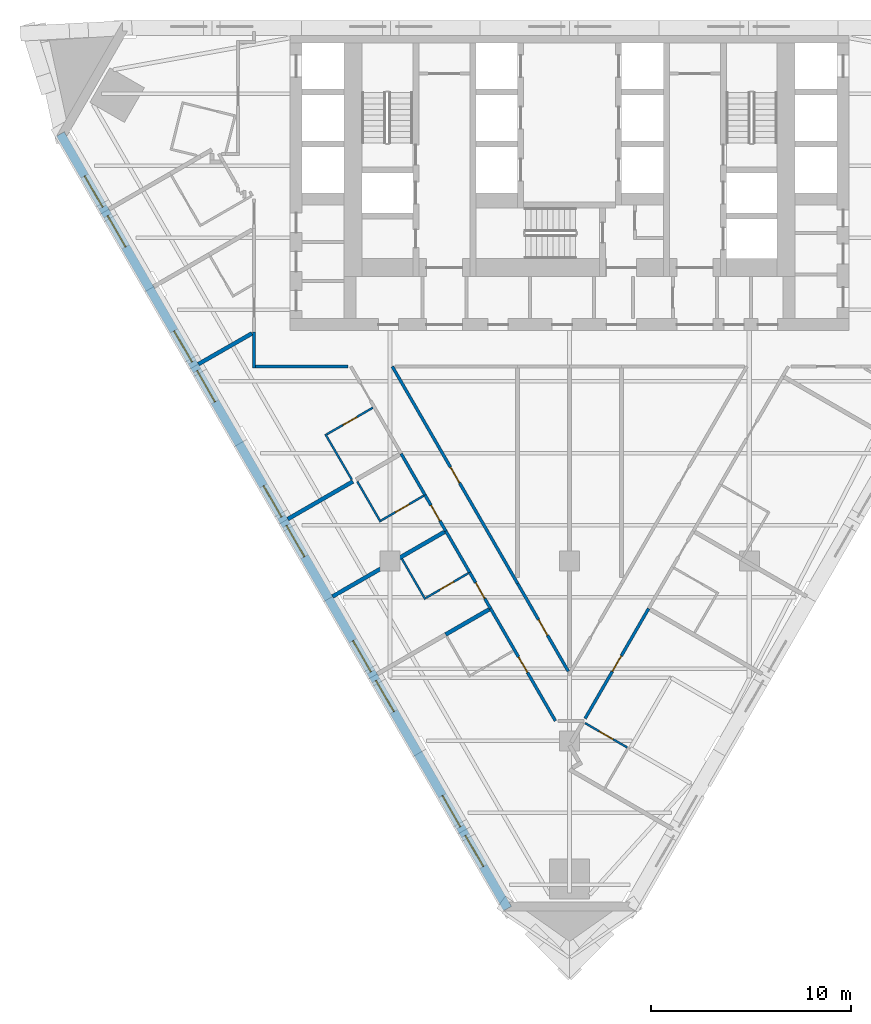
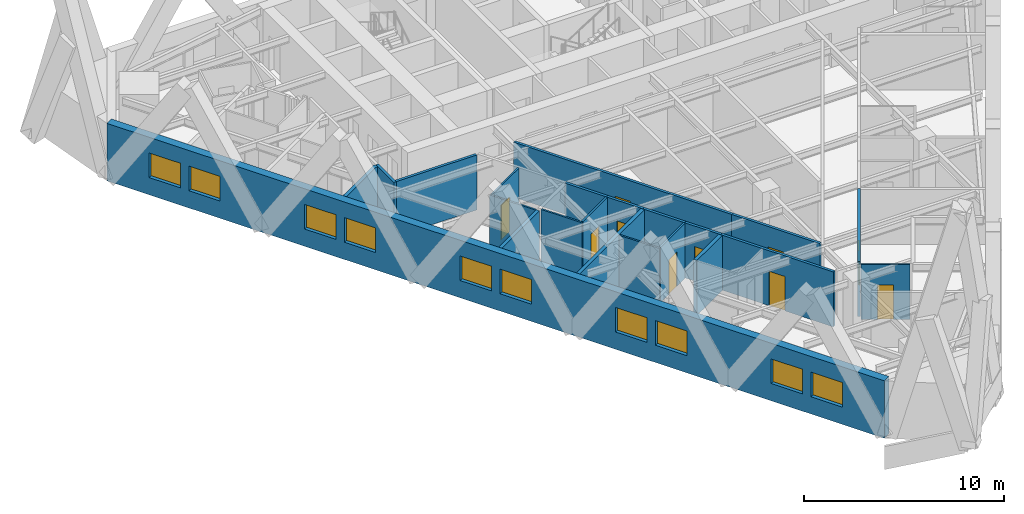
# One storey, part 3 of 11: 22 walls, 10 doors, 10 windows, 20 openings.
"""IFC4 building model written with IfcOpenShell, lengths in metres."""

from ifc_helpers import new_model, si_unit, direction, frame, frame_2d, origin, place, context, subcontext, project, spatial, polyline, rectangle, outline, extrude, material, layer, layer_set, type_object, element, fill, save


model = new_model("IFC4")

# Units and contexts
model_context = context("Model", 3, precision=1e-05, world=origin(), true_north=direction((0.0, 1.0)))
body_context = subcontext(model_context, "Body", "Model", "MODEL_VIEW")
ifc_project = project(units=[si_unit("LENGTHUNIT", "METRE"), si_unit("AREAUNIT", "SQUARE_METRE"), si_unit("VOLUMEUNIT", "CUBIC_METRE"), si_unit("PLANEANGLEUNIT", "RADIAN"), si_unit("MASSUNIT", "GRAM", prefix="KILO")], contexts=[model_context])

# Site, building, storey
site_placement = place(None, origin())
site = spatial("IfcSite", under=ifc_project, at=site_placement, CompositionType="ELEMENT")
building_placement = place(site_placement, origin())
building = spatial("IfcBuilding", under=site, at=building_placement, Name="Aloe Facet Convention Tower", CompositionType="ELEMENT")
storey_placement = place(building_placement, frame((0.0, 0.0, 63.0)))
storey = spatial("IfcBuildingStorey", under=building, at=storey_placement, Name="L14", CompositionType="ELEMENT", Elevation=63.0)

# Wall, openings, windows
ifc_material_1 = material(Name="Precast concrete C40/50", Category="concrete")
ifc_layer_1 = layer(ifc_material_1, 0.449951171875)
ifc_layer_set_1 = layer_set([ifc_layer_1], Name="EV-WALL-STONE")
wall_type_1 = type_object("IfcWallType", Name="EV-WALL-STONE", PredefinedType="SOLIDWALL", material=ifc_layer_set_1)
wall_1_placement = place(storey_placement, frame((54.494873046875, 129.396728515625, -0.14990234375), z_axis=(0.0, 0.0, 1.0), x_axis=(0.499999201451, -0.866025864826, 0.0)))
wall_1 = element("IfcWall", 1, at=wall_1_placement, inside=storey, type_object=wall_type_1, Name="EW-L14-W01", PredefinedType="SOLIDWALL", context=body_context, shape_type="SweptSolid", body=[
    extrude(outline(polyline([(44.800048828125, 0.0), (44.800048828125, 3.5), (0.0, 3.5), (0.0, 0.0), (44.800048828125, 0.0)])), frame((0.0, 0.22509765625, 0.0), z_axis=(0.0, -1.0, 0.0), x_axis=(1.0, 0.0, 0.0)), (0.0, 0.0, 1.0), 0.449951171875),
])
opening_1_placement = place(wall_1_placement, frame((2.429931640625, 0.0, 1.050048828125)))
opening_1 = element("IfcOpeningElement", 2, at=opening_1_placement, cuts=wall_1, Name="Opening W-L14-W01", PredefinedType="OPENING", context=body_context, shape_type="SweptSolid", body=[
    extrude(rectangle(XDim=1.800048828125, YDim=1.5, at=frame_2d((0.89990234375, 0.75))), frame((0.0, 0.23486328125, 0.0), z_axis=(0.0, -1.0, 0.0), x_axis=(1.0, 0.0, 0.0)), (0.0, 0.0, 1.0), 0.469970703125),
])
opening_2_placement = place(wall_1_placement, frame((4.72998046875, 0.0, 1.050048828125)))
opening_2 = element("IfcOpeningElement", 3, at=opening_2_placement, cuts=wall_1, Name="Opening W-L14-W02", PredefinedType="OPENING", context=body_context, shape_type="SweptSolid", body=[
    extrude(rectangle(XDim=1.800048828125, YDim=1.5, at=frame_2d((0.89990234375, 0.75))), frame((0.0, 0.23486328125, 0.0), z_axis=(0.0, -1.0, 0.0), x_axis=(1.0, 0.0, 0.0)), (0.0, 0.0, 1.0), 0.469970703125),
])
opening_3_placement = place(wall_1_placement, frame((11.389892578125, 0.0, 1.050048828125)))
opening_3 = element("IfcOpeningElement", 4, at=opening_3_placement, cuts=wall_1, Name="Opening W-L14-W03", PredefinedType="OPENING", context=body_context, shape_type="SweptSolid", body=[
    extrude(rectangle(XDim=1.800048828125, YDim=1.5, at=frame_2d((0.89990234375, 0.75))), frame((0.0, 0.23486328125, 0.0), z_axis=(0.0, -1.0, 0.0), x_axis=(1.0, 0.0, 0.0)), (0.0, 0.0, 1.0), 0.469970703125),
])
opening_4_placement = place(wall_1_placement, frame((13.68994140625, 0.0, 1.050048828125)))
opening_4 = element("IfcOpeningElement", 5, at=opening_4_placement, cuts=wall_1, Name="Opening W-L14-W04", PredefinedType="OPENING", context=body_context, shape_type="SweptSolid", body=[
    extrude(rectangle(XDim=1.800048828125, YDim=1.5, at=frame_2d((0.89990234375, 0.75))), frame((0.0, 0.23486328125, 0.0), z_axis=(0.0, -1.0, 0.0), x_axis=(1.0, 0.0, 0.0)), (0.0, 0.0, 1.0), 0.469970703125),
])
opening_5_placement = place(wall_1_placement, frame((20.35009765625, 0.0, 1.050048828125)))
opening_5 = element("IfcOpeningElement", 6, at=opening_5_placement, cuts=wall_1, Name="Opening W-L14-W05", PredefinedType="OPENING", context=body_context, shape_type="SweptSolid", body=[
    extrude(rectangle(XDim=1.800048828125, YDim=1.5, at=frame_2d((0.89990234375, 0.75))), frame((0.0, 0.23486328125, 0.0), z_axis=(0.0, -1.0, 0.0), x_axis=(1.0, 0.0, 0.0)), (0.0, 0.0, 1.0), 0.469970703125),
])
opening_6_placement = place(wall_1_placement, frame((22.64990234375, 0.0, 1.050048828125)))
opening_6 = element("IfcOpeningElement", 7, at=opening_6_placement, cuts=wall_1, Name="Opening W-L14-W06", PredefinedType="OPENING", context=body_context, shape_type="SweptSolid", body=[
    extrude(rectangle(XDim=1.800048828125, YDim=1.5, at=frame_2d((0.89990234375, 0.75))), frame((0.0, 0.23486328125, 0.0), z_axis=(0.0, -1.0, 0.0), x_axis=(1.0, 0.0, 0.0)), (0.0, 0.0, 1.0), 0.469970703125),
])
opening_7_placement = place(wall_1_placement, frame((29.31005859375, 0.0, 1.050048828125)))
opening_7 = element("IfcOpeningElement", 8, at=opening_7_placement, cuts=wall_1, Name="Opening W-L14-W07", PredefinedType="OPENING", context=body_context, shape_type="SweptSolid", body=[
    extrude(rectangle(XDim=1.800048828125, YDim=1.5, at=frame_2d((0.89990234375, 0.75))), frame((0.0, 0.23486328125, 0.0), z_axis=(0.0, -1.0, 0.0), x_axis=(1.0, 0.0, 0.0)), (0.0, 0.0, 1.0), 0.469970703125),
])
opening_8_placement = place(wall_1_placement, frame((31.610107421875, 0.0, 1.050048828125)))
opening_8 = element("IfcOpeningElement", 9, at=opening_8_placement, cuts=wall_1, Name="Opening W-L14-W08", PredefinedType="OPENING", context=body_context, shape_type="SweptSolid", body=[
    extrude(rectangle(XDim=1.800048828125, YDim=1.5, at=frame_2d((0.89990234375, 0.75))), frame((0.0, 0.23486328125, 0.0), z_axis=(0.0, -1.0, 0.0), x_axis=(1.0, 0.0, 0.0)), (0.0, 0.0, 1.0), 0.469970703125),
])
opening_9_placement = place(wall_1_placement, frame((38.27001953125, 0.0, 1.050048828125)))
opening_9 = element("IfcOpeningElement", 10, at=opening_9_placement, cuts=wall_1, Name="Opening W-L14-W09", PredefinedType="OPENING", context=body_context, shape_type="SweptSolid", body=[
    extrude(rectangle(XDim=1.800048828125, YDim=1.5, at=frame_2d((0.89990234375, 0.75))), frame((0.0, 0.23486328125, 0.0), z_axis=(0.0, -1.0, 0.0), x_axis=(1.0, 0.0, 0.0)), (0.0, 0.0, 1.0), 0.469970703125),
])
opening_10_placement = place(wall_1_placement, frame((40.570068359375, 0.0, 1.050048828125)))
opening_10 = element("IfcOpeningElement", 11, at=opening_10_placement, cuts=wall_1, Name="Opening W-L14-W10", PredefinedType="OPENING", context=body_context, shape_type="SweptSolid", body=[
    extrude(rectangle(XDim=1.800048828125, YDim=1.5, at=frame_2d((0.89990234375, 0.75))), frame((0.0, 0.23486328125, 0.0), z_axis=(0.0, -1.0, 0.0), x_axis=(1.0, 0.0, 0.0)), (0.0, 0.0, 1.0), 0.469970703125),
])
ifc_material_2 = material(Name="Aluminium frame, clear double glazing", Category="aluminium")
window_type = type_object("IfcWindowType", Name="EV-WIN-H18", PartitioningType="SINGLE_PANEL", PredefinedType="WINDOW", material=ifc_material_2)
window_1_placement = place(opening_1_placement, origin())
window_1 = element("IfcWindow", 12, at=window_1_placement, inside=storey, type_object=window_type, Name="W-L14-W01", OverallHeight=1.5, OverallWidth=1.800048828125, PartitioningType="SINGLE_PANEL", PredefinedType="WINDOW", context=body_context, shape_type="SweptSolid", body=[
    extrude(rectangle(XDim=1.800048828125, YDim=1.5, at=frame_2d((0.89990234375, 0.75))), frame((0.0, 0.030029296875, 0.0), z_axis=(0.0, -1.0, 0.0), x_axis=(1.0, 0.0, 0.0)), (0.0, 0.0, 1.0), 0.06005859375),
])
fill(opening_1, window_1)
window_2_placement = place(opening_2_placement, origin())
window_2 = element("IfcWindow", 13, at=window_2_placement, inside=storey, type_object=window_type, Name="W-L14-W02", OverallHeight=1.5, OverallWidth=1.800048828125, PartitioningType="SINGLE_PANEL", PredefinedType="WINDOW", context=body_context, shape_type="SweptSolid", body=[
    extrude(rectangle(XDim=1.800048828125, YDim=1.5, at=frame_2d((0.89990234375, 0.75))), frame((0.0, 0.030029296875, 0.0), z_axis=(0.0, -1.0, 0.0), x_axis=(1.0, 0.0, 0.0)), (0.0, 0.0, 1.0), 0.06005859375),
])
fill(opening_2, window_2)
window_3_placement = place(opening_3_placement, origin())
window_3 = element("IfcWindow", 14, at=window_3_placement, inside=storey, type_object=window_type, Name="W-L14-W03", OverallHeight=1.5, OverallWidth=1.800048828125, PartitioningType="SINGLE_PANEL", PredefinedType="WINDOW", context=body_context, shape_type="SweptSolid", body=[
    extrude(rectangle(XDim=1.800048828125, YDim=1.5, at=frame_2d((0.89990234375, 0.75))), frame((0.0, 0.030029296875, 0.0), z_axis=(0.0, -1.0, 0.0), x_axis=(1.0, 0.0, 0.0)), (0.0, 0.0, 1.0), 0.06005859375),
])
fill(opening_3, window_3)
window_4_placement = place(opening_4_placement, origin())
window_4 = element("IfcWindow", 15, at=window_4_placement, inside=storey, type_object=window_type, Name="W-L14-W04", OverallHeight=1.5, OverallWidth=1.800048828125, PartitioningType="SINGLE_PANEL", PredefinedType="WINDOW", context=body_context, shape_type="SweptSolid", body=[
    extrude(rectangle(XDim=1.800048828125, YDim=1.5, at=frame_2d((0.89990234375, 0.75))), frame((0.0, 0.030029296875, 0.0), z_axis=(0.0, -1.0, 0.0), x_axis=(1.0, 0.0, 0.0)), (0.0, 0.0, 1.0), 0.06005859375),
])
fill(opening_4, window_4)
window_5_placement = place(opening_5_placement, origin())
window_5 = element("IfcWindow", 16, at=window_5_placement, inside=storey, type_object=window_type, Name="W-L14-W05", OverallHeight=1.5, OverallWidth=1.800048828125, PartitioningType="SINGLE_PANEL", PredefinedType="WINDOW", context=body_context, shape_type="SweptSolid", body=[
    extrude(rectangle(XDim=1.800048828125, YDim=1.5, at=frame_2d((0.89990234375, 0.75))), frame((0.0, 0.030029296875, 0.0), z_axis=(0.0, -1.0, 0.0), x_axis=(1.0, 0.0, 0.0)), (0.0, 0.0, 1.0), 0.06005859375),
])
fill(opening_5, window_5)
window_6_placement = place(opening_6_placement, origin())
window_6 = element("IfcWindow", 17, at=window_6_placement, inside=storey, type_object=window_type, Name="W-L14-W06", OverallHeight=1.5, OverallWidth=1.800048828125, PartitioningType="SINGLE_PANEL", PredefinedType="WINDOW", context=body_context, shape_type="SweptSolid", body=[
    extrude(rectangle(XDim=1.800048828125, YDim=1.5, at=frame_2d((0.89990234375, 0.75))), frame((0.0, 0.030029296875, 0.0), z_axis=(0.0, -1.0, 0.0), x_axis=(1.0, 0.0, 0.0)), (0.0, 0.0, 1.0), 0.06005859375),
])
fill(opening_6, window_6)
window_7_placement = place(opening_7_placement, origin())
window_7 = element("IfcWindow", 18, at=window_7_placement, inside=storey, type_object=window_type, Name="W-L14-W07", OverallHeight=1.5, OverallWidth=1.800048828125, PartitioningType="SINGLE_PANEL", PredefinedType="WINDOW", context=body_context, shape_type="SweptSolid", body=[
    extrude(rectangle(XDim=1.800048828125, YDim=1.5, at=frame_2d((0.89990234375, 0.75))), frame((0.0, 0.030029296875, 0.0), z_axis=(0.0, -1.0, 0.0), x_axis=(1.0, 0.0, 0.0)), (0.0, 0.0, 1.0), 0.06005859375),
])
fill(opening_7, window_7)
window_8_placement = place(opening_8_placement, origin())
window_8 = element("IfcWindow", 19, at=window_8_placement, inside=storey, type_object=window_type, Name="W-L14-W08", OverallHeight=1.5, OverallWidth=1.800048828125, PartitioningType="SINGLE_PANEL", PredefinedType="WINDOW", context=body_context, shape_type="SweptSolid", body=[
    extrude(rectangle(XDim=1.800048828125, YDim=1.5, at=frame_2d((0.89990234375, 0.75))), frame((0.0, 0.030029296875, 0.0), z_axis=(0.0, -1.0, 0.0), x_axis=(1.0, 0.0, 0.0)), (0.0, 0.0, 1.0), 0.06005859375),
])
fill(opening_8, window_8)
window_9_placement = place(opening_9_placement, origin())
window_9 = element("IfcWindow", 20, at=window_9_placement, inside=storey, type_object=window_type, Name="W-L14-W09", OverallHeight=1.5, OverallWidth=1.800048828125, PartitioningType="SINGLE_PANEL", PredefinedType="WINDOW", context=body_context, shape_type="SweptSolid", body=[
    extrude(rectangle(XDim=1.800048828125, YDim=1.5, at=frame_2d((0.89990234375, 0.75))), frame((0.0, 0.030029296875, 0.0), z_axis=(0.0, -1.0, 0.0), x_axis=(1.0, 0.0, 0.0)), (0.0, 0.0, 1.0), 0.06005859375),
])
fill(opening_9, window_9)
window_10_placement = place(opening_10_placement, origin())
window_10 = element("IfcWindow", 21, at=window_10_placement, inside=storey, type_object=window_type, Name="W-L14-W10", OverallHeight=1.5, OverallWidth=1.800048828125, PartitioningType="SINGLE_PANEL", PredefinedType="WINDOW", context=body_context, shape_type="SweptSolid", body=[
    extrude(rectangle(XDim=1.800048828125, YDim=1.5, at=frame_2d((0.89990234375, 0.75))), frame((0.0, 0.030029296875, 0.0), z_axis=(0.0, -1.0, 0.0), x_axis=(1.0, 0.0, 0.0)), (0.0, 0.0, 1.0), 0.06005859375),
])
fill(opening_10, window_10)

# Wall, opening, door
ifc_material_3 = material(Name="Gypsum board partition on steel studs", Category="steel")
ifc_layer_2 = layer(ifc_material_3, 0.14990234375)
ifc_layer_set_2 = layer_set([ifc_layer_2], Name="IN-W-CORR")
wall_type_2 = type_object("IfcWallType", Name="IN-W-CORR", PredefinedType="PARTITIONING", material=ifc_layer_set_2)
wall_2_placement = place(storey_placement, frame((76.042236328125, 105.625732421875, 0.0), z_axis=(0.0, 0.0, 1.0), x_axis=(0.499991405182, -0.866030365948, 0.0)))
wall_2 = element("IfcWall", 22, at=wall_2_placement, inside=storey, type_object=wall_type_2, Name="Partition L14-W009", PredefinedType="PARTITIONING", context=body_context, shape_type="SweptSolid", body=[
    extrude(rectangle(XDim=6.49560546875, YDim=0.14990234375, at=frame_2d((3.247802734375, 0.0))), origin(), (0.0, 0.0, 1.0), 3.35009765625),
])
opening_11_placement = place(wall_2_placement, frame((2.7978515625, 0.0, 0.0)))
opening_11 = element("IfcOpeningElement", 23, at=opening_11_placement, cuts=wall_2, Name="Opening L14-008", PredefinedType="OPENING", context=body_context, shape_type="SweptSolid", body=[
    extrude(rectangle(XDim=0.89990234375, YDim=2.10009765625, at=frame_2d((0.449951171875, 1.050048828125))), frame((0.0, 0.0849609375, 0.0), z_axis=(0.0, -1.0, 0.0), x_axis=(1.0, 0.0, 0.0)), (0.0, 0.0, 1.0), 0.169921875),
])
ifc_material_4 = material(Name="Hardwood flush door FD30S", Category="wood")
door_type_1 = type_object("IfcDoorType", Name="IN-D-GUEST", OperationType="SINGLE_SWING_LEFT", PredefinedType="DOOR", material=ifc_material_4)
door_1_placement = place(opening_11_placement, origin())
door_1 = element("IfcDoor", 24, at=door_1_placement, inside=storey, type_object=door_type_1, Name="Door L14-008", OperationType="SINGLE_SWING_LEFT", OverallHeight=2.10009765625, OverallWidth=0.89990234375, PredefinedType="DOOR", context=body_context, shape_type="SweptSolid", body=[
    extrude(rectangle(XDim=0.89990234375, YDim=2.10009765625, at=frame_2d((0.449951171875, 1.050048828125))), frame((0.0, 0.02490234375, 0.0), z_axis=(0.0, -1.0, 0.0), x_axis=(1.0, 0.0, 0.0)), (0.0, 0.0, 1.0), 0.050048828125),
])
fill(opening_11, door_1)

wall_3_placement = place(storey_placement, frame((74.9970703125, 107.435546875, 0.0), z_axis=(0.0, 0.0, 1.0), x_axis=(0.500096586542, -0.865969632337, 0.0)))
wall_3 = element("IfcWall", 25, at=wall_3_placement, inside=storey, type_object=wall_type_2, Name="Partition L14-W022", PredefinedType="PARTITIONING", context=body_context, shape_type="SweptSolid", body=[
    extrude(rectangle(XDim=2.08984375, YDim=0.14990234375, at=frame_2d((1.044921875, 0.0))), origin(), (0.0, 0.0, 1.0), 3.35009765625),
])
opening_12_placement = place(wall_3_placement, frame((0.594970703125, 0.0, 0.0)))
opening_12 = element("IfcOpeningElement", 26, at=opening_12_placement, cuts=wall_3, Name="Opening L14-007", PredefinedType="OPENING", context=body_context, shape_type="SweptSolid", body=[
    extrude(rectangle(XDim=0.89990234375, YDim=2.10009765625, at=frame_2d((0.449951171875, 1.050048828125))), frame((0.0, 0.0849609375, 0.0), z_axis=(0.0, -1.0, 0.0), x_axis=(1.0, 0.0, 0.0)), (0.0, 0.0, 1.0), 0.169921875),
])
door_2_placement = place(opening_12_placement, origin())
door_2 = element("IfcDoor", 27, at=door_2_placement, inside=storey, type_object=door_type_1, Name="Door L14-007", OperationType="SINGLE_SWING_LEFT", OverallHeight=2.10009765625, OverallWidth=0.89990234375, PredefinedType="DOOR", context=body_context, shape_type="SweptSolid", body=[
    extrude(rectangle(XDim=0.89990234375, YDim=2.10009765625, at=frame_2d((0.449951171875, 1.050048828125))), frame((0.0, 0.02490234375, 0.0), z_axis=(0.0, -1.0, 0.0), x_axis=(1.0, 0.0, 0.0)), (0.0, 0.0, 1.0), 0.050048828125),
])
fill(opening_12, door_2)

wall_4_placement = place(storey_placement, frame((80.774658203125, 100.112548828125, 0.0), z_axis=(0.0, 0.0, 1.0), x_axis=(0.5000079448, 0.866020816803, 0.0)))
wall_4 = element("IfcWall", 28, at=wall_4_placement, inside=storey, type_object=wall_type_2, Name="Partition L14-W023", PredefinedType="PARTITIONING", context=body_context, shape_type="SweptSolid", body=[
    extrude(rectangle(XDim=6.3662109375, YDim=0.14990234375, at=frame_2d((3.18310546875, 0.0))), origin(), (0.0, 0.0, 1.0), 3.35009765625),
])
opening_13_placement = place(wall_4_placement, frame((2.733154296875, 0.0, 0.0)))
opening_13 = element("IfcOpeningElement", 29, at=opening_13_placement, cuts=wall_4, Name="Opening L14-009", PredefinedType="OPENING", context=body_context, shape_type="SweptSolid", body=[
    extrude(rectangle(XDim=0.89990234375, YDim=2.10009765625, at=frame_2d((0.449951171875, 1.050048828125))), frame((0.0, 0.0849609375, 0.0), z_axis=(0.0, -1.0, 0.0), x_axis=(1.0, 0.0, 0.0)), (0.0, 0.0, 1.0), 0.169921875),
])
door_3_placement = place(opening_13_placement, origin())
door_3 = element("IfcDoor", 30, at=door_3_placement, inside=storey, type_object=door_type_1, Name="Door L14-009", OperationType="SINGLE_SWING_LEFT", OverallHeight=2.10009765625, OverallWidth=0.89990234375, PredefinedType="DOOR", context=body_context, shape_type="SweptSolid", body=[
    extrude(rectangle(XDim=0.89990234375, YDim=2.10009765625, at=frame_2d((0.449951171875, 1.050048828125))), frame((0.0, 0.02490234375, 0.0), z_axis=(0.0, -1.0, 0.0), x_axis=(1.0, 0.0, 0.0)), (0.0, 0.0, 1.0), 0.050048828125),
])
fill(opening_13, door_3)

wall_5_placement = place(storey_placement, frame((77.39892578125, 106.87548828125, 0.0), z_axis=(0.0, 0.0, 1.0), x_axis=(0.500017996867, -0.866015013039, 0.0)))
wall_5 = element("IfcWall", 31, at=wall_5_placement, inside=storey, type_object=wall_type_2, Name="Partition L14-W030", PredefinedType="PARTITIONING", context=body_context, shape_type="SweptSolid", body=[
    extrude(rectangle(XDim=5.076904296875, YDim=0.14990234375, at=frame_2d((2.53857421875, 0.0))), origin(), (0.0, 0.0, 1.0), 3.35009765625),
])
opening_14_placement = place(wall_5_placement, frame((2.08837890625, 0.0, 0.0)))
opening_14 = element("IfcOpeningElement", 32, at=opening_14_placement, cuts=wall_5, Name="Opening L14-015", PredefinedType="OPENING", context=body_context, shape_type="SweptSolid", body=[
    extrude(rectangle(XDim=0.89990234375, YDim=2.10009765625, at=frame_2d((0.449951171875, 1.050048828125))), frame((0.0, 0.0849609375, 0.0), z_axis=(0.0, -1.0, 0.0), x_axis=(1.0, 0.0, 0.0)), (0.0, 0.0, 1.0), 0.169921875),
])
door_4_placement = place(opening_14_placement, origin())
door_4 = element("IfcDoor", 33, at=door_4_placement, inside=storey, type_object=door_type_1, Name="Door L14-015", OperationType="SINGLE_SWING_LEFT", OverallHeight=2.10009765625, OverallWidth=0.89990234375, PredefinedType="DOOR", context=body_context, shape_type="SweptSolid", body=[
    extrude(rectangle(XDim=0.89990234375, YDim=2.10009765625, at=frame_2d((0.449951171875, 1.050048828125))), frame((0.0, 0.02490234375, 0.0), z_axis=(0.0, -1.0, 0.0), x_axis=(1.0, 0.0, 0.0)), (0.0, 0.0, 1.0), 0.050048828125),
])
fill(opening_14, door_4)

# Wall
wall_6_placement = place(storey_placement, frame((73.80224609375, 109.50537109375, 0.0), z_axis=(0.0, 0.0, 1.0), x_axis=(0.499940577336, -0.866059708757, 0.0)))
element("IfcWall", 34, at=wall_6_placement, inside=storey, type_object=wall_type_2, Name="Partition L14-W039", PredefinedType="PARTITIONING", context=body_context, shape_type="SweptSolid", body=[
    extrude(rectangle(XDim=2.389892578125, YDim=0.14990234375, at=frame_2d((1.19482421875, 0.0))), origin(), (0.0, 0.0, 1.0), 3.35009765625),
])

# Wall, opening, door
wall_7_placement = place(storey_placement, frame((72.757080078125, 111.3154296875, 0.0), z_axis=(0.0, 0.0, 1.0), x_axis=(0.500046000743, -0.865998843614, 0.0)))
wall_7 = element("IfcWall", 35, at=wall_7_placement, inside=storey, type_object=wall_type_2, Name="Partition L14-W041", PredefinedType="PARTITIONING", context=body_context, shape_type="SweptSolid", body=[
    extrude(rectangle(XDim=2.090087890625, YDim=0.14990234375, at=frame_2d((1.044921875, 0.0))), origin(), (0.0, 0.0, 1.0), 3.35009765625),
])
opening_15_placement = place(wall_7_placement, frame((0.594970703125, 0.0, 0.0)))
opening_15 = element("IfcOpeningElement", 36, at=opening_15_placement, cuts=wall_7, Name="Opening L14-006", PredefinedType="OPENING", context=body_context, shape_type="SweptSolid", body=[
    extrude(rectangle(XDim=0.89990234375, YDim=2.10009765625, at=frame_2d((0.449951171875, 1.050048828125))), frame((0.0, 0.0849609375, 0.0), z_axis=(0.0, -1.0, 0.0), x_axis=(1.0, 0.0, 0.0)), (0.0, 0.0, 1.0), 0.169921875),
])
door_5_placement = place(opening_15_placement, origin())
door_5 = element("IfcDoor", 37, at=door_5_placement, inside=storey, type_object=door_type_1, Name="Door L14-006", OperationType="SINGLE_SWING_LEFT", OverallHeight=2.10009765625, OverallWidth=0.89990234375, PredefinedType="DOOR", context=body_context, shape_type="SweptSolid", body=[
    extrude(rectangle(XDim=0.89990234375, YDim=2.10009765625, at=frame_2d((0.449951171875, 1.050048828125))), frame((0.0, 0.02490234375, 0.0), z_axis=(0.0, -1.0, 0.0), x_axis=(1.0, 0.0, 0.0)), (0.0, 0.0, 1.0), 0.050048828125),
])
fill(opening_15, door_5)

# Walls
wall_8_placement = place(storey_placement, frame((71.562255859375, 113.38525390625, 0.0), z_axis=(0.0, 0.0, 1.0), x_axis=(0.499940577336, -0.866059708757, 0.0)))
element("IfcWall", 38, at=wall_8_placement, inside=storey, type_object=wall_type_2, Name="Partition L14-W052", PredefinedType="PARTITIONING", context=body_context, shape_type="SweptSolid", body=[
    extrude(rectangle(XDim=2.389892578125, YDim=0.14990234375, at=frame_2d((1.19482421875, 0.0))), origin(), (0.0, 0.0, 1.0), 3.35009765625),
])
wall_9_placement = place(storey_placement, frame((64.199951171875, 117.675048828125, 0.0), z_axis=(0.0, 0.0, 1.0), x_axis=(0.0, 1.0, 0.0)))
element("IfcWall", 39, at=wall_9_placement, inside=storey, type_object=wall_type_2, Name="Partition L14-W060", PredefinedType="PARTITIONING", context=body_context, shape_type="SweptSolid", body=[
    extrude(rectangle(XDim=1.794189453125, YDim=0.14990234375, at=frame_2d((0.89697265625, 0.0))), origin(), (0.0, 0.0, 1.0), 3.35009765625),
])
wall_10_placement = place(storey_placement, frame((64.27490234375, 117.75, 0.0), z_axis=(0.0, 0.0, 1.0), x_axis=(1.0, 0.0, 0.0)))
element("IfcWall", 40, at=wall_10_placement, inside=storey, type_object=wall_type_2, Name="Partition L14-W061", PredefinedType="PARTITIONING", context=body_context, shape_type="SweptSolid", body=[
    extrude(rectangle(XDim=4.637451171875, YDim=0.14990234375, at=frame_2d((2.31884765625, 0.0))), origin(), (0.0, 0.0, 1.0), 3.35009765625),
])

# Wall, opening, door
wall_11_placement = place(storey_placement, frame((71.12060546875, 117.75, 0.0), z_axis=(0.0, 0.0, 1.0), x_axis=(0.499995104884, -0.866028229963, 0.0)))
wall_11 = element("IfcWall", 41, at=wall_11_placement, inside=storey, type_object=wall_type_2, Name="Partition L14-W062", PredefinedType="PARTITIONING", context=body_context, shape_type="SweptSolid", body=[
    extrude(rectangle(XDim=12.556884765625, YDim=0.14990234375, at=frame_2d((6.2783203125, 0.0))), origin(), (0.0, 0.0, 1.0), 3.35009765625),
])
opening_16_placement = place(wall_11_placement, frame((5.828369140625, 0.0, 0.0)))
opening_16 = element("IfcOpeningElement", 42, at=opening_16_placement, cuts=wall_11, Name="Opening L14-014", PredefinedType="OPENING", context=body_context, shape_type="SweptSolid", body=[
    extrude(rectangle(XDim=0.89990234375, YDim=2.10009765625, at=frame_2d((0.449951171875, 1.050048828125))), frame((0.0, 0.0849609375, 0.0), z_axis=(0.0, -1.0, 0.0), x_axis=(1.0, 0.0, 0.0)), (0.0, 0.0, 1.0), 0.169921875),
])
door_6_placement = place(opening_16_placement, origin())
door_6 = element("IfcDoor", 43, at=door_6_placement, inside=storey, type_object=door_type_1, Name="Door L14-014", OperationType="SINGLE_SWING_LEFT", OverallHeight=2.10009765625, OverallWidth=0.89990234375, PredefinedType="DOOR", context=body_context, shape_type="SweptSolid", body=[
    extrude(rectangle(XDim=0.89990234375, YDim=2.10009765625, at=frame_2d((0.449951171875, 1.050048828125))), frame((0.0, 0.02490234375, 0.0), z_axis=(0.0, -1.0, 0.0), x_axis=(1.0, 0.0, 0.0)), (0.0, 0.0, 1.0), 0.050048828125),
])
fill(opening_16, door_6)

ifc_material_5 = material(Name="Gypsum board partition on steel studs", Category="steel")
ifc_layer_3 = layer(ifc_material_5, 0.10009765625)
ifc_layer_set_3 = layer_set([ifc_layer_3], Name="IN-W-PART")
wall_type_3 = type_object("IfcWallType", Name="IN-W-PART", PredefinedType="PARTITIONING", material=ifc_layer_set_3)
wall_12_placement = place(storey_placement, frame((80.773193359375, 99.8896484375, 0.0), z_axis=(0.0, 0.0, 1.0), x_axis=(0.865980627057, -0.500077547548, 0.0)))
wall_12 = element("IfcWall", 44, at=wall_12_placement, inside=storey, type_object=wall_type_3, Name="Partition L14-W007", PredefinedType="PARTITIONING", context=body_context, shape_type="SweptSolid", body=[
    extrude(rectangle(XDim=2.43994140625, YDim=0.10009765625, at=frame_2d((1.219970703125, 0.0))), origin(), (0.0, 0.0, 1.0), 3.35009765625),
])
opening_17_placement = place(wall_12_placement, frame((0.820068359375, 0.0, 0.0)))
opening_17 = element("IfcOpeningElement", 45, at=opening_17_placement, cuts=wall_12, Name="Opening L14-026", PredefinedType="OPENING", context=body_context, shape_type="SweptSolid", body=[
    extrude(rectangle(XDim=0.800048828125, YDim=2.10009765625, at=frame_2d((0.39990234375, 1.050048828125))), frame((0.0, 0.06005859375, 0.0), z_axis=(0.0, -1.0, 0.0), x_axis=(1.0, 0.0, 0.0)), (0.0, 0.0, 1.0), 0.1201171875),
])
ifc_material_6 = material(Name="Timber flush door", Category="wood")
door_type_2 = type_object("IfcDoorType", Name="IN-D-BATH", OperationType="SINGLE_SWING_LEFT", PredefinedType="DOOR", material=ifc_material_6)
door_7_placement = place(opening_17_placement, origin())
door_7 = element("IfcDoor", 46, at=door_7_placement, inside=storey, type_object=door_type_2, Name="Door L14-026", OperationType="SINGLE_SWING_LEFT", OverallHeight=2.10009765625, OverallWidth=0.800048828125, PredefinedType="DOOR", context=body_context, shape_type="SweptSolid", body=[
    extrude(rectangle(XDim=0.800048828125, YDim=2.10009765625, at=frame_2d((0.39990234375, 1.050048828125))), frame((0.0, 0.02490234375, 0.0), z_axis=(0.0, -1.0, 0.0), x_axis=(1.0, 0.0, 0.0)), (0.0, 0.0, 1.0), 0.050048828125),
])
fill(opening_17, door_7)

# Wall
wall_13_placement = place(storey_placement, frame((71.6005859375, 108.118896484375, 0.0), z_axis=(0.0, 0.0, 1.0), x_axis=(0.499938297808, -0.866061024631, 0.0)))
element("IfcWall", 47, at=wall_13_placement, inside=storey, type_object=wall_type_3, Name="Partition L14-W026", PredefinedType="PARTITIONING", context=body_context, shape_type="SweptSolid", body=[
    extrude(rectangle(XDim=2.349853515625, YDim=0.10009765625, at=frame_2d((1.1748046875, 0.0))), origin(), (0.0, 0.0, 1.0), 3.35009765625),
])

# Wall, opening, door
wall_14_placement = place(storey_placement, frame((72.80224609375, 106.1572265625, 0.0), z_axis=(0.0, 0.0, 1.0), x_axis=(0.864132137734, 0.503264988386, 0.0)))
wall_14 = element("IfcWall", 48, at=wall_14_placement, inside=storey, type_object=wall_type_3, Name="Partition L14-W034", PredefinedType="PARTITIONING", context=body_context, shape_type="SweptSolid", body=[
    extrude(rectangle(XDim=2.455078125, YDim=0.10009765625, at=frame_2d((1.2275390625, 0.0))), origin(), (0.0, 0.0, 1.0), 3.35009765625),
])
opening_18_placement = place(wall_14_placement, frame((0.827392578125, 0.0, 0.0)))
opening_18 = element("IfcOpeningElement", 49, at=opening_18_placement, cuts=wall_14, Name="Opening L14-024", PredefinedType="OPENING", context=body_context, shape_type="SweptSolid", body=[
    extrude(rectangle(XDim=0.800048828125, YDim=2.10009765625, at=frame_2d((0.39990234375, 1.050048828125))), frame((0.0, 0.06005859375, 0.0), z_axis=(0.0, -1.0, 0.0), x_axis=(1.0, 0.0, 0.0)), (0.0, 0.0, 1.0), 0.1201171875),
])
door_8_placement = place(opening_18_placement, origin())
door_8 = element("IfcDoor", 50, at=door_8_placement, inside=storey, type_object=door_type_2, Name="Door L14-024", OperationType="SINGLE_SWING_LEFT", OverallHeight=2.10009765625, OverallWidth=0.800048828125, PredefinedType="DOOR", context=body_context, shape_type="SweptSolid", body=[
    extrude(rectangle(XDim=0.800048828125, YDim=2.10009765625, at=frame_2d((0.39990234375, 1.050048828125))), frame((0.0, 0.02490234375, 0.0), z_axis=(0.0, -1.0, 0.0), x_axis=(1.0, 0.0, 0.0)), (0.0, 0.0, 1.0), 0.050048828125),
])
fill(opening_18, door_8)

# Wall
wall_15_placement = place(storey_placement, frame((69.365478515625, 111.989990234375, 0.0), z_axis=(0.0, 0.0, 1.0), x_axis=(0.499999433879, -0.866025730634, 0.0)))
element("IfcWall", 51, at=wall_15_placement, inside=storey, type_object=wall_type_3, Name="Partition L14-W044", PredefinedType="PARTITIONING", context=body_context, shape_type="SweptSolid", body=[
    extrude(rectangle(XDim=2.33984375, YDim=0.10009765625, at=frame_2d((1.169921875, 0.0))), origin(), (0.0, 0.0, 1.0), 3.35009765625),
])

# Wall, opening, door
wall_16_placement = place(storey_placement, frame((70.562255859375, 110.037109375, 0.0), z_axis=(0.0, 0.0, 1.0), x_axis=(0.864132137734, 0.503264988386, 0.0)))
wall_16 = element("IfcWall", 52, at=wall_16_placement, inside=storey, type_object=wall_type_3, Name="Partition L14-W047", PredefinedType="PARTITIONING", context=body_context, shape_type="SweptSolid", body=[
    extrude(rectangle(XDim=2.455078125, YDim=0.10009765625, at=frame_2d((1.2275390625, 0.0))), origin(), (0.0, 0.0, 1.0), 3.35009765625),
])
opening_19_placement = place(wall_16_placement, frame((0.827392578125, 0.0, 0.0)))
opening_19 = element("IfcOpeningElement", 53, at=opening_19_placement, cuts=wall_16, Name="Opening L14-023", PredefinedType="OPENING", context=body_context, shape_type="SweptSolid", body=[
    extrude(rectangle(XDim=0.800048828125, YDim=2.10009765625, at=frame_2d((0.39990234375, 1.050048828125))), frame((0.0, 0.06005859375, 0.0), z_axis=(0.0, -1.0, 0.0), x_axis=(1.0, 0.0, 0.0)), (0.0, 0.0, 1.0), 0.1201171875),
])
door_9_placement = place(opening_19_placement, origin())
door_9 = element("IfcDoor", 54, at=door_9_placement, inside=storey, type_object=door_type_2, Name="Door L14-023", OperationType="SINGLE_SWING_LEFT", OverallHeight=2.10009765625, OverallWidth=0.800048828125, PredefinedType="DOOR", context=body_context, shape_type="SweptSolid", body=[
    extrude(rectangle(XDim=0.800048828125, YDim=2.10009765625, at=frame_2d((0.39990234375, 1.050048828125))), frame((0.0, 0.02490234375, 0.0), z_axis=(0.0, -1.0, 0.0), x_axis=(1.0, 0.0, 0.0)), (0.0, 0.0, 1.0), 0.050048828125),
])
fill(opening_19, door_9)

# Wall
wall_17_placement = place(storey_placement, frame((67.76220703125, 114.36669921875, 0.0), z_axis=(0.0, 0.0, 1.0), x_axis=(0.503163628445, -0.86419116115, 0.0)))
element("IfcWall", 55, at=wall_17_placement, inside=storey, type_object=wall_type_3, Name="Partition L14-W049", PredefinedType="PARTITIONING", context=body_context, shape_type="SweptSolid", body=[
    extrude(rectangle(XDim=2.64013671875, YDim=0.10009765625, at=frame_2d((1.320068359375, 0.0))), origin(), (0.0, 0.0, 1.0), 3.35009765625),
])

# Wall, opening, door
wall_18_placement = place(storey_placement, frame((67.83935546875, 114.353515625, 0.0), z_axis=(0.0, 0.0, 1.0), x_axis=(0.86601318911, 0.500021155841, 0.0)))
wall_18 = element("IfcWall", 56, at=wall_18_placement, inside=storey, type_object=wall_type_3, Name="Partition L14-W055", PredefinedType="PARTITIONING", context=body_context, shape_type="SweptSolid", body=[
    extrude(rectangle(XDim=2.6650390625, YDim=0.10009765625, at=frame_2d((1.33251953125, 0.0))), origin(), (0.0, 0.0, 1.0), 3.35009765625),
])
opening_20_placement = place(wall_18_placement, frame((0.9326171875, 0.0, 0.0)))
opening_20 = element("IfcOpeningElement", 57, at=opening_20_placement, cuts=wall_18, Name="Opening L14-022", PredefinedType="OPENING", context=body_context, shape_type="SweptSolid", body=[
    extrude(rectangle(XDim=0.800048828125, YDim=2.10009765625, at=frame_2d((0.39990234375, 1.050048828125))), frame((0.0, 0.06005859375, 0.0), z_axis=(0.0, -1.0, 0.0), x_axis=(1.0, 0.0, 0.0)), (0.0, 0.0, 1.0), 0.1201171875),
])
door_10_placement = place(opening_20_placement, origin())
door_10 = element("IfcDoor", 58, at=door_10_placement, inside=storey, type_object=door_type_2, Name="Door L14-022", OperationType="SINGLE_SWING_LEFT", OverallHeight=2.10009765625, OverallWidth=0.800048828125, PredefinedType="DOOR", context=body_context, shape_type="SweptSolid", body=[
    extrude(rectangle(XDim=0.800048828125, YDim=2.10009765625, at=frame_2d((0.39990234375, 1.050048828125))), frame((0.0, 0.02490234375, 0.0), z_axis=(0.0, -1.0, 0.0), x_axis=(1.0, 0.0, 0.0)), (0.0, 0.0, 1.0), 0.050048828125),
])
fill(opening_20, door_10)

# Walls
ifc_material_7 = material(Name="Gypsum board partition on steel studs", Category="steel")
ifc_layer_4 = layer(ifc_material_7, 0.199951171875)
ifc_layer_set_4 = layer_set([ifc_layer_4], Name="IN-W-PARTY")
wall_type_4 = type_object("IfcWallType", Name="IN-W-PARTY", PredefinedType="PARTITIONING", material=ifc_layer_set_4)
wall_19_placement = place(storey_placement, frame((73.79052734375, 104.32568359375, 0.0), z_axis=(0.0, 0.0, 1.0), x_axis=(0.866006140796, 0.500033362991, 0.0)))
element("IfcWall", 59, at=wall_19_placement, inside=storey, type_object=wall_type_4, Name="Partition L14-W021", PredefinedType="PARTITIONING", context=body_context, shape_type="SweptSolid", body=[
    extrude(rectangle(XDim=2.514892578125, YDim=0.199951171875, at=frame_2d((1.25732421875, 0.0))), origin(), (0.0, 0.0, 1.0), 3.35009765625),
])
wall_20_placement = place(storey_placement, frame((68.129638671875, 106.23046875, 0.0), z_axis=(0.0, 0.0, 1.0), x_axis=(0.86603151488, 0.499989415123, 0.0)))
element("IfcWall", 60, at=wall_20_placement, inside=storey, type_object=wall_type_4, Name="Partition L14-W027", PredefinedType="PARTITIONING", context=body_context, shape_type="SweptSolid", body=[
    extrude(rectangle(XDim=6.465087890625, YDim=0.199951171875, at=frame_2d((3.232421875, 0.0))), origin(), (0.0, 0.0, 1.0), 3.35009765625),
])
wall_21_placement = place(storey_placement, frame((65.8896484375, 110.1103515625, 0.0), z_axis=(0.0, 0.0, 1.0), x_axis=(0.866045024864, 0.499966013754, 0.0)))
element("IfcWall", 61, at=wall_21_placement, inside=storey, type_object=wall_type_4, Name="Partition L14-W045", PredefinedType="PARTITIONING", context=body_context, shape_type="SweptSolid", body=[
    extrude(rectangle(XDim=3.760009765625, YDim=0.199951171875, at=frame_2d((1.8798828125, 0.0))), origin(), (0.0, 0.0, 1.0), 3.35009765625),
])
wall_22_placement = place(storey_placement, frame((61.40966796875, 117.869873046875, 0.0), z_axis=(0.0, 0.0, 1.0), x_axis=(0.867566776681, 0.4973207094, 0.0)))
element("IfcWall", 62, at=wall_22_placement, inside=storey, type_object=wall_type_4, Name="Partition L14-W071", PredefinedType="PARTITIONING", context=body_context, shape_type="SweptSolid", body=[
    extrude(rectangle(XDim=3.09130859375, YDim=0.199951171875, at=frame_2d((1.545654296875, 0.0))), origin(), (0.0, 0.0, 1.0), 3.35009765625),
])

save(model, "model.ifc")
